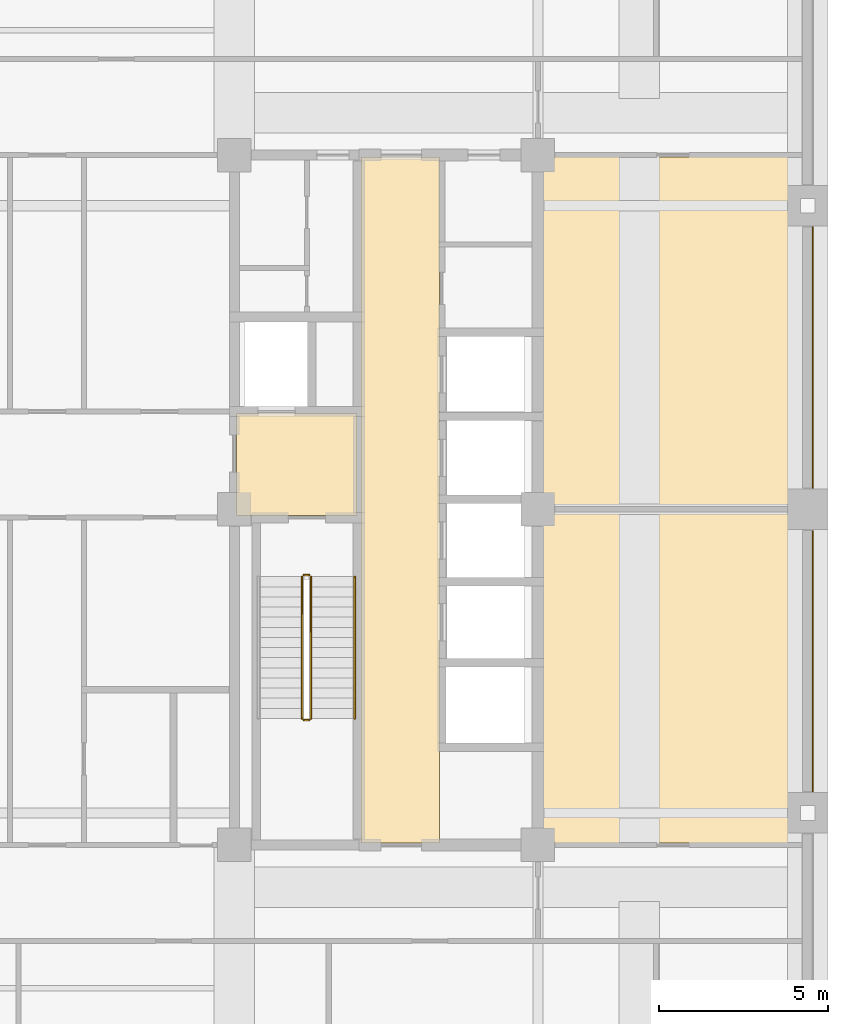
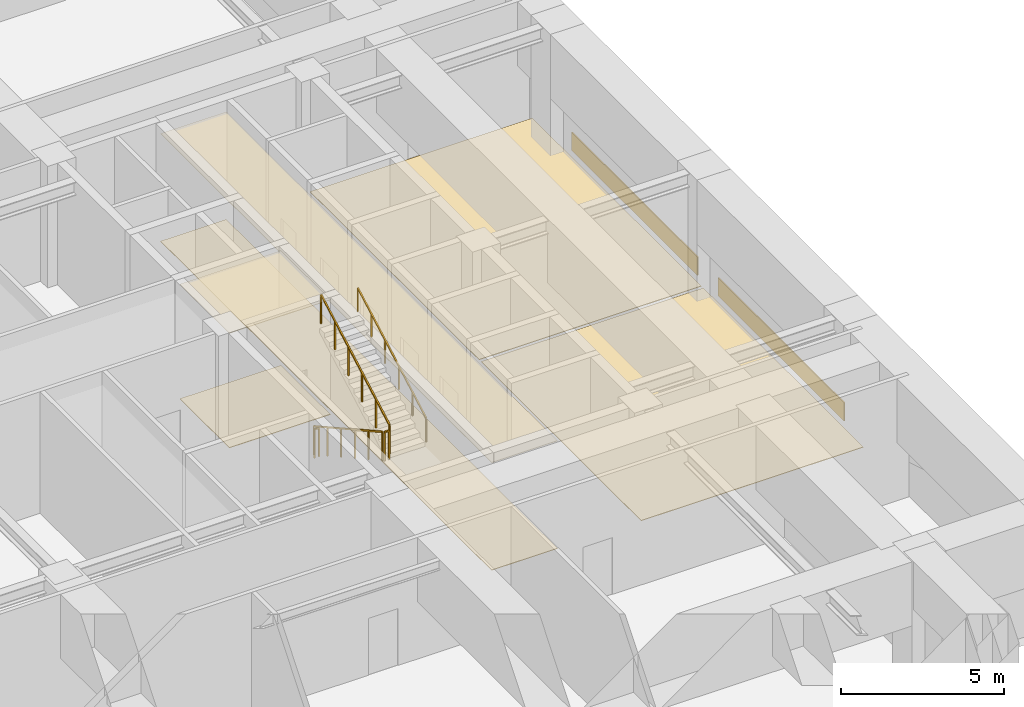
# One storey, part 10 of 11: 8 coverings, 5 railings.
"""IFC4 building model written with IfcOpenShell, lengths in metres."""

from ifc_helpers import new_model, si_unit, direction, frame, frame_2d, origin, origin_2d, place, context, subcontext, project, spatial, polyline, rectangle, outline, extrude, material, layer, layer_set, type_object, element, save


model = new_model("IFC4")

# Units and contexts
model_context = context("Model", 3, precision=1e-05, world=origin(), true_north=direction((0.0, 1.0)))
body_context = subcontext(model_context, "Body", "Model", "MODEL_VIEW")
ifc_project = project(units=[si_unit("LENGTHUNIT", "METRE"), si_unit("AREAUNIT", "SQUARE_METRE"), si_unit("VOLUMEUNIT", "CUBIC_METRE"), si_unit("PLANEANGLEUNIT", "RADIAN"), si_unit("MASSUNIT", "GRAM", prefix="KILO")], contexts=[model_context])

# Site, building, storey
site_placement = place(None, origin())
site = spatial("IfcSite", under=ifc_project, at=site_placement, CompositionType="ELEMENT")
building_placement = place(site_placement, origin())
building = spatial("IfcBuilding", under=site, at=building_placement, Name="Zulmaris Gate Convention Tower", CompositionType="ELEMENT")
storey_placement = place(building_placement, frame((0.0, 0.0, 116.349853515625)))
storey = spatial("IfcBuildingStorey", under=building, at=storey_placement, Name="L29", CompositionType="ELEMENT", Elevation=116.349853515625)

# Coverings
ifc_material_1 = material(Name="Precast concrete C40/50", Category="concrete")
ifc_layer_1 = layer(ifc_material_1, 0.0400390625, Name="Precast concrete C40/50")
ifc_layer_set_1 = layer_set([ifc_layer_1], Name="Precast concrete C40/50")
covering_type_1 = type_object("IfcCoveringType", Name="CLAD-SPANDREL-PRECAST", PredefinedType="CLADDING", material=ifc_layer_set_1)
for number, where, z_axis, x_axis, name in (
    (1, (28.14990234375, -8.3701171875, 0.0), (0.0, 0.0, 1.0), (0.0, 1.0, 0.0), "CLD-L29-E-1_0"),
    (2, (28.14990234375, 0.6298828125, 0.0), (0.0, 0.0, 1.0), (0.0, 1.0, 0.0), "CLD-L29-E-2_0"),
):
    element("IfcCovering", number, at=place(storey_placement, frame(where, z_axis=z_axis, x_axis=x_axis)), inside=storey, type_object=covering_type_1, Name=name, PredefinedType="CLADDING", context=body_context, shape_type="SweptSolid", body=[
        extrude(rectangle(XDim=7.740234375, YDim=0.0400390625, at=frame_2d((3.8701171875, 0.0))), origin(), (0.0, 0.0, 1.0), 0.679931640625),
    ])
ifc_material_2 = material(Name="Mineral Fibre Acoustic Ceiling Tile")
ifc_layer_2 = layer(ifc_material_2, 0.02001953125, Name="Mineral Fibre Acoustic Ceiling Tile")
ifc_layer_set_2 = layer_set([ifc_layer_2], Name="Mineral Fibre Acoustic Ceiling Tile")
covering_type_2 = type_object("IfcCoveringType", Name="CLG-ACOUSTIC-600", PredefinedType="CEILING", material=ifc_layer_set_2)
covering_1_placement = place(storey_placement, frame((0.0, 0.0, 4.295166015625)))
element("IfcCovering", 3, at=covering_1_placement, inside=storey, type_object=covering_type_2, Name="CLG-L29-R08", PredefinedType="CEILING", context=body_context, shape_type="SweptSolid", body=[
    extrude(outline(polyline([(11.06005859375, -0.18994140625), (14.639892578125, -0.18994140625), (14.639892578125, 2.840087890625), (11.06005859375, 2.840087890625), (11.06005859375, -0.18994140625)])), origin(), (0.0, 0.0, 1.0), 0.019775390625),
])
covering_2_placement = place(storey_placement, frame((0.0, 0.0, 4.032958984375)))
element("IfcCovering", 4, at=covering_2_placement, inside=storey, type_object=covering_type_2, Name="CLG-L29-R27", PredefinedType="CEILING", context=body_context, shape_type="SweptSolid", body=[
    extrude(outline(polyline([(14.760009765625, -9.889892578125), (17.090087890625, -9.889892578125), (17.090087890625, 10.43994140625), (14.760009765625, 10.43994140625), (14.760009765625, -9.889892578125)])), origin(), (0.0, 0.0, 1.0), 0.02001953125),
])
ifc_material_3 = material(Name="Woven Acoustic Wool Carpet Tile")
ifc_layer_3 = layer(ifc_material_3, 0.02001953125, Name="Woven Acoustic Wool Carpet Tile")
ifc_layer_set_3 = layer_set([ifc_layer_3], Name="Woven Acoustic Wool Carpet Tile")
covering_type_3 = type_object("IfcCoveringType", Name="FLR-CARPET-12", PredefinedType="FLOORING", material=ifc_layer_set_3)
covering_3_placement = place(storey_placement, origin())
element("IfcCovering", 5, at=covering_3_placement, inside=storey, type_object=covering_type_3, Name="FLR-L29-R08", PredefinedType="FLOORING", context=body_context, shape_type="SweptSolid", body=[
    extrude(outline(polyline([(11.06005859375, -0.18994140625), (14.639892578125, -0.18994140625), (14.639892578125, 2.840087890625), (11.06005859375, 2.840087890625), (11.06005859375, -0.18994140625)])), origin(), (0.0, 0.0, 1.0), 0.02001953125),
])
covering_4_placement = place(storey_placement, origin())
element("IfcCovering", 6, at=covering_4_placement, inside=storey, type_object=covering_type_3, Name="FLR-L29-R27", PredefinedType="FLOORING", context=body_context, shape_type="SweptSolid", body=[
    extrude(outline(polyline([(14.760009765625, -9.889892578125), (17.090087890625, -9.889892578125), (17.090087890625, 10.43994140625), (14.760009765625, 10.43994140625), (14.760009765625, -9.889892578125)])), origin(), (0.0, 0.0, 1.0), 0.02001953125),
])
covering_5_placement = place(storey_placement, origin())
element("IfcCovering", 7, at=covering_5_placement, inside=storey, type_object=covering_type_3, Name="FLR-L29-R53", PredefinedType="FLOORING", context=body_context, shape_type="SweptSolid", body=[
    extrude(outline(polyline([(20.06005859375, 0.06005859375), (27.93994140625, 0.06005859375), (27.93994140625, 10.43994140625), (20.06005859375, 10.43994140625), (20.06005859375, 0.06005859375)])), origin(), (0.0, 0.0, 1.0), 0.02001953125),
])
covering_6_placement = place(storey_placement, origin())
element("IfcCovering", 8, at=covering_6_placement, inside=storey, type_object=covering_type_3, Name="FLR-L29-R54", PredefinedType="FLOORING", context=body_context, shape_type="SweptSolid", body=[
    extrude(outline(polyline([(20.06005859375, -9.889892578125), (27.93994140625, -9.889892578125), (27.93994140625, -0.06005859375), (20.06005859375, -0.06005859375), (20.06005859375, -9.889892578125)])), origin(), (0.0, 0.0, 1.0), 0.02001953125),
])

# Railings
ifc_material_4 = material(Name="Painted Galvanised Steel", Category="steel")
railing_type_1 = type_object("IfcRailingType", Name="RL-STG-1150", PredefinedType="GUARDRAIL", material=ifc_material_4)
railing_1_placement = place(storey_placement, frame((13.010009765625, -2.0, 0.166748046875)))
element("IfcRailing", 9, at=railing_1_placement, inside=storey, type_object=railing_type_1, Name="L29 ST-2 stair guard 1", PredefinedType="GUARDRAIL", context=body_context, shape_type="SweptSolid", body=[
    extrude(rectangle(XDim=0.048095703125, YDim=0.048095703125, at=origin_2d()), frame((0.0, 0.0, 1.076171875), z_axis=(0.0, -0.874162069901, 0.485634302275), x_axis=(1.0, 0.0, 0.0)), (0.0, 0.0, 1.0), 4.804443359375),
    extrude(rectangle(XDim=0.0419921875, YDim=0.0419921875, at=origin_2d()), origin(), (0.0, 0.0, 1.0), 1.052001953125),
    extrude(rectangle(XDim=0.0419921875, YDim=0.0419921875, at=origin_2d()), frame((0.0, -0.840087890625, 0.466552734375)), (0.0, 0.0, 1.0), 1.052001953125),
    extrude(rectangle(XDim=0.0419921875, YDim=0.0419921875, at=origin_2d()), frame((0.0, -1.679931640625, 0.933349609375)), (0.0, 0.0, 1.0), 1.052001953125),
    extrude(rectangle(XDim=0.0419921875, YDim=0.0419921875, at=origin_2d()), frame((0.0, -2.52001953125, 1.39990234375)), (0.0, 0.0, 1.0), 1.052001953125),
    extrude(rectangle(XDim=0.0419921875, YDim=0.0419921875, at=origin_2d()), frame((0.0, -3.35986328125, 1.86669921875)), (0.0, 0.0, 1.0), 1.052001953125),
    extrude(rectangle(XDim=0.0419921875, YDim=0.0419921875, at=origin_2d()), frame((0.0, -4.199951171875, 2.333251953125)), (0.0, 0.0, 1.0), 1.052001953125),
])
railing_2_placement = place(storey_placement, frame((13.06005859375, -6.25, 2.5)))
element("IfcRailing", 10, at=railing_2_placement, inside=storey, type_object=railing_type_1, Name="L29 ST-2 stair guard 2", PredefinedType="GUARDRAIL", context=body_context, shape_type="SweptSolid", body=[
    extrude(rectangle(XDim=0.048095703125, YDim=0.048095703125, at=origin_2d()), frame((0.0, 0.0, 1.076171875), z_axis=(1.0, 0.0, 0.0), x_axis=(0.0, 1.0, 0.0)), (0.0, 0.0, 1.0), 0.159912109375),
    extrude(rectangle(XDim=0.0419921875, YDim=0.0419921875, at=origin_2d()), origin(), (0.0, 0.0, 1.0), 1.052001953125),
    extrude(rectangle(XDim=0.0419921875, YDim=0.0419921875, at=origin_2d()), frame((0.159912109375, 0.0, 0.0)), (0.0, 0.0, 1.0), 1.052001953125),
])
railing_3_placement = place(storey_placement, frame((13.27001953125, -6.199951171875, 2.666748046875)))
element("IfcRailing", 11, at=railing_3_placement, inside=storey, type_object=railing_type_1, Name="L29 ST-2 stair guard 3", PredefinedType="GUARDRAIL", context=body_context, shape_type="SweptSolid", body=[
    extrude(rectangle(XDim=0.048095703125, YDim=0.048095703125, at=origin_2d()), frame((0.0, 0.0, 1.076171875), z_axis=(0.0, 0.874162069901, 0.485634302275), x_axis=(-1.0, 0.0, 0.0)), (0.0, 0.0, 1.0), 4.804443359375),
    extrude(rectangle(XDim=0.0419921875, YDim=0.0419921875, at=origin_2d()), origin(), (0.0, 0.0, 1.0), 1.052001953125),
    extrude(rectangle(XDim=0.0419921875, YDim=0.0419921875, at=origin_2d()), frame((0.0, 0.840087890625, 0.466552734375)), (0.0, 0.0, 1.0), 1.052001953125),
    extrude(rectangle(XDim=0.0419921875, YDim=0.0419921875, at=origin_2d()), frame((0.0, 1.679931640625, 0.933349609375)), (0.0, 0.0, 1.0), 1.052001953125),
    extrude(rectangle(XDim=0.0419921875, YDim=0.0419921875, at=origin_2d()), frame((0.0, 2.52001953125, 1.39990234375)), (0.0, 0.0, 1.0), 1.052001953125),
    extrude(rectangle(XDim=0.0419921875, YDim=0.0419921875, at=origin_2d()), frame((0.0, 3.35986328125, 1.86669921875)), (0.0, 0.0, 1.0), 1.052001953125),
    extrude(rectangle(XDim=0.0419921875, YDim=0.0419921875, at=origin_2d()), frame((0.0, 4.199951171875, 2.333251953125)), (0.0, 0.0, 1.0), 1.052001953125),
])
railing_4_placement = place(storey_placement, frame((13.06005859375, -1.949951171875, 0.0)))
element("IfcRailing", 12, at=railing_4_placement, inside=storey, type_object=railing_type_1, Name="L29 ST-2 stair guard 4", PredefinedType="GUARDRAIL", context=body_context, shape_type="SweptSolid", body=[
    extrude(rectangle(XDim=0.048095703125, YDim=0.048095703125, at=origin_2d()), frame((0.0, 0.0, 1.076171875), z_axis=(1.0, 0.0, 0.0), x_axis=(0.0, 1.0, 0.0)), (0.0, 0.0, 1.0), 0.159912109375),
    extrude(rectangle(XDim=0.0419921875, YDim=0.0419921875, at=origin_2d()), origin(), (0.0, 0.0, 1.0), 1.052001953125),
    extrude(rectangle(XDim=0.0419921875, YDim=0.0419921875, at=origin_2d()), frame((0.159912109375, 0.0, 0.0)), (0.0, 0.0, 1.0), 1.052001953125),
])
ifc_material_5 = material(Name="Brushed Stainless Steel", Category="steel")
railing_type_2 = type_object("IfcRailingType", Name="RL-STH-900", PredefinedType="HANDRAIL", material=ifc_material_5)
railing_5_placement = place(storey_placement, frame((14.570068359375, -6.199951171875, 2.666748046875)))
element("IfcRailing", 13, at=railing_5_placement, inside=storey, type_object=railing_type_2, Name="L29 ST-2 stair handrail 2", PredefinedType="HANDRAIL", context=body_context, shape_type="SweptSolid", body=[
    extrude(rectangle(XDim=0.048095703125, YDim=0.048095703125, at=origin_2d()), frame((0.0, 0.0, 0.8759765625), z_axis=(0.0, 0.874162069901, 0.485634302275), x_axis=(-1.0, 0.0, 0.0)), (0.0, 0.0, 1.0), 4.804443359375),
    extrude(rectangle(XDim=0.0419921875, YDim=0.0419921875, at=origin_2d()), origin(), (0.0, 0.0, 1.0), 0.851806640625),
    extrude(rectangle(XDim=0.0419921875, YDim=0.0419921875, at=origin_2d()), frame((0.0, 0.840087890625, 0.466552734375)), (0.0, 0.0, 1.0), 0.851806640625),
    extrude(rectangle(XDim=0.0419921875, YDim=0.0419921875, at=origin_2d()), frame((0.0, 1.679931640625, 0.933349609375)), (0.0, 0.0, 1.0), 0.851806640625),
    extrude(rectangle(XDim=0.0419921875, YDim=0.0419921875, at=origin_2d()), frame((0.0, 2.52001953125, 1.39990234375)), (0.0, 0.0, 1.0), 0.851806640625),
    extrude(rectangle(XDim=0.0419921875, YDim=0.0419921875, at=origin_2d()), frame((0.0, 3.35986328125, 1.86669921875)), (0.0, 0.0, 1.0), 0.851806640625),
    extrude(rectangle(XDim=0.0419921875, YDim=0.0419921875, at=origin_2d()), frame((0.0, 4.199951171875, 2.333251953125)), (0.0, 0.0, 1.0), 0.851806640625),
])

save(model, "model.ifc")
